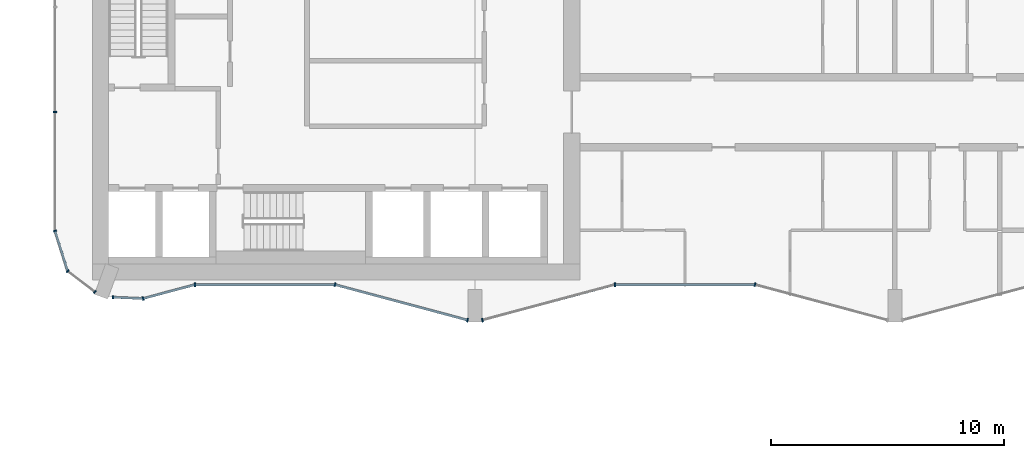
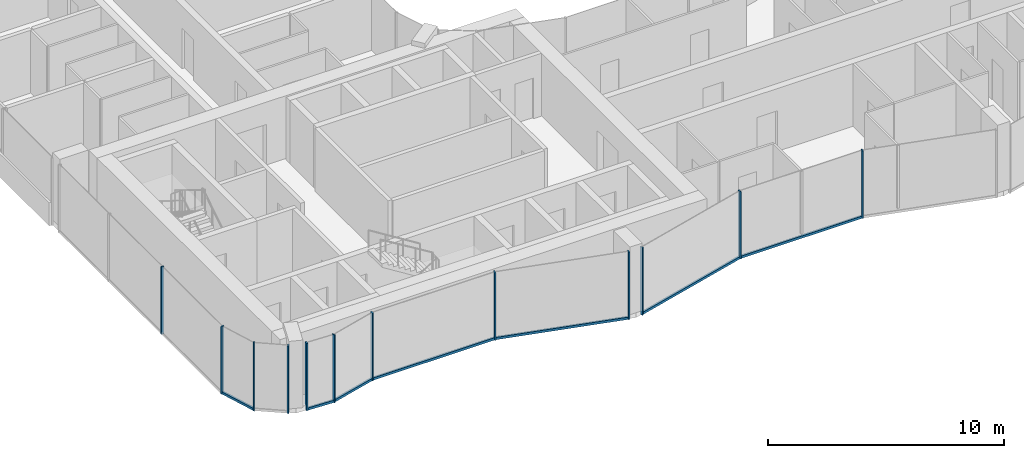
# One storey, part 2 of 23: 19 members, 10 elements without a shape of their own.
"""IFC4 building model written with IfcOpenShell, lengths in metres."""

import ifcopenshell
import ifcopenshell.guid

model = None  # the IFC model being written
_history = None  # IfcOwnerHistory: only IFC2X3 demands one
_inside = {}  # id of a spatial element -> (the spatial element, [elements in it])
_under = {}  # id of a project, library or spatial element -> (it, [spatial elements below it])
_declared = {}  # id of a project -> (the project, [libraries it declares])
_typed = {}  # id of a type object -> (the type object, [elements of that type])
_made_of = {}  # id of a material, layer set ... -> (it, [elements and type objects made of it])


def new_model(schema):
    """Start an empty IFC model of exactly this schema.

    Asked for "IFC4X3", IfcOpenShell would pick the latest addendum, in which some entities
    have other attributes; the version numbers below select the first issue.
    IFC2X3 requires an IfcOwnerHistory on every rooted entity: one is made here for all.
    """
    global model, _history
    if schema == "IFC4X3":
        model = ifcopenshell.file(schema_version=(4, 3, 0, 0))
    else:
        model = ifcopenshell.file(schema=schema)
    _inside.clear()
    _under.clear()
    _declared.clear()
    _typed.clear()
    _made_of.clear()
    _history = None
    if model.schema == "IFC2X3":
        org = make("IfcOrganization", Name="unknown")
        user = make(
            "IfcPersonAndOrganization",
            ThePerson=make("IfcPerson", FamilyName="unknown"),
            TheOrganization=org,
        )
        app = make(
            "IfcApplication",
            ApplicationDeveloper=org,
            Version="unknown",
            ApplicationFullName="unknown",
            ApplicationIdentifier="unknown",
        )
        _history = make(
            "IfcOwnerHistory",
            OwningUser=user,
            OwningApplication=app,
            ChangeAction="ADDED",
            CreationDate=0,
        )
    return model


def make(cls, **values):
    """One entity of the class cls with the attributes given. An attribute that is None is left unset."""
    return model.create_entity(
        cls, **{name: value for name, value in values.items() if value is not None}
    )


def rooted(cls, **values):
    """An entity with a GlobalId (a new one), such as an element, a storey or a relation."""
    return make(cls, GlobalId=ifcopenshell.guid.new(), OwnerHistory=_history, **values)


def si_unit(unit_type, name, prefix=None):
    """IfcSIUnit, for example si_unit("LENGTHUNIT", "METRE", prefix="MILLI")."""
    return make("IfcSIUnit", UnitType=unit_type, Prefix=prefix, Name=name)


def assignment(units):
    """IfcUnitAssignment: the units of a project."""
    return None if units is None else make("IfcUnitAssignment", Units=units)


def point(xyz):
    """IfcCartesianPoint."""
    return None if xyz is None else make("IfcCartesianPoint", Coordinates=xyz)


def direction(xyz):
    """IfcDirection."""
    return None if xyz is None else make("IfcDirection", DirectionRatios=xyz)


def frame(location, z_axis=None, x_axis=None):
    """IfcAxis2Placement3D, a coordinate frame: its origin and axes. An axis left out is left unset."""
    return make(
        "IfcAxis2Placement3D",
        Location=point(location),
        Axis=direction(z_axis),
        RefDirection=direction(x_axis),
    )


def frame_2d(location, x_axis=None):
    """IfcAxis2Placement2D, a coordinate frame in the plane: its origin and x axis."""
    return make(
        "IfcAxis2Placement2D", Location=point(location), RefDirection=direction(x_axis)
    )


def origin():
    """The frame at (0, 0, 0) with its axes left unset."""
    return frame((0.0, 0.0, 0.0))


def origin_2d():
    """The frame at (0, 0) in the plane with its x axis left unset."""
    return frame_2d((0.0, 0.0))


def place(relative_to, where):
    """IfcLocalPlacement: puts the frame where relative to a parent placement (None: the world)."""
    return make(
        "IfcLocalPlacement", PlacementRelTo=relative_to, RelativePlacement=where
    )


def context(
    kind, dimensions, precision=None, world=None, true_north=None, identifier=None
):
    """IfcGeometricRepresentationContext, for example the 3D "Model" context."""
    return make(
        "IfcGeometricRepresentationContext",
        ContextIdentifier=identifier,
        ContextType=kind,
        CoordinateSpaceDimension=dimensions,
        Precision=precision,
        WorldCoordinateSystem=world,
        TrueNorth=true_north,
    )


def subcontext(parent, identifier, kind, view, scale=None):
    """IfcGeometricRepresentationSubContext, for example "Body" below "Model"."""
    return make(
        "IfcGeometricRepresentationSubContext",
        ContextIdentifier=identifier,
        ContextType=kind,
        ParentContext=parent,
        TargetScale=scale,
        TargetView=view,
    )


def project(units=None, contexts=None):
    """IfcProject with its units and contexts."""
    return rooted(
        "IfcProject",
        Name="project",
        RepresentationContexts=contexts,
        UnitsInContext=assignment(units),
    )


def spatial(cls, under=None, at=None, **own):
    """A site, building, storey or space (cls), placed at a placement, below another one or the project."""
    s = rooted(cls, ObjectPlacement=at, **own)
    if under is not None:
        _under.setdefault(under.id(), (under, []))[1].append(s)
    return s


def profile(cls, at=None, kind="AREA", **sizes):
    """A parametric profile (cls). Its sizes go by their IFC names, for example OverallWidth=200.0."""
    return make(cls, ProfileType=kind, Position=at, **sizes)


def rectangle(**sizes):
    """IfcRectangleProfileDef."""
    return profile("IfcRectangleProfileDef", **sizes)


def extrude(swept, where, along, depth):
    """IfcExtrudedAreaSolid: the profile swept, set in the frame where, extruded along a direction by depth."""
    return make(
        "IfcExtrudedAreaSolid",
        SweptArea=swept,
        Position=where,
        ExtrudedDirection=direction(along),
        Depth=depth,
    )


def shape(context_of_items, identifier, shape_type, items):
    """IfcShapeRepresentation: the items that make up one representation, for example the "Body"."""
    return make(
        "IfcShapeRepresentation",
        ContextOfItems=context_of_items,
        RepresentationIdentifier=identifier,
        RepresentationType=shape_type,
        Items=items,
    )


def material(Name=None, Category=None):
    """IfcMaterial."""
    return make("IfcMaterial", Name=Name, Category=Category)


def layer(
    of_material, thickness, ventilated=None, Name=None, Category=None, Priority=None
):
    """IfcMaterialLayer: one layer of a wall or slab, of a material (None: an air gap)."""
    return make(
        "IfcMaterialLayer",
        Material=of_material,
        LayerThickness=thickness,
        IsVentilated=ventilated,
        Name=Name,
        Category=Category,
        Priority=Priority,
    )


def layer_set(layers, Name=None):
    """IfcMaterialLayerSet."""
    return make("IfcMaterialLayerSet", MaterialLayers=layers, LayerSetName=Name)


def material_profile(
    of_material, cross_section, Name=None, Category=None, Priority=None
):
    """IfcMaterialProfile: a cross section and its material."""
    return make(
        "IfcMaterialProfile",
        Name=Name,
        Material=of_material,
        Profile=cross_section,
        Priority=Priority,
        Category=Category,
    )


def profile_set(profiles, Name=None, composite=None):
    """IfcMaterialProfileSet."""
    return make(
        "IfcMaterialProfileSet",
        Name=Name,
        MaterialProfiles=profiles,
        CompositeProfile=composite,
    )


def made_of(thing, what):
    """Note that an element or type object is made of a material, layer set ...; save() writes the relation."""
    if what is not None:
        _made_of.setdefault(what.id(), (what, []))[1].append(thing)
    return thing


def type_object(cls, material=None, **own):
    """A type object (cls), such as IfcWallType, which elements share."""
    return made_of(rooted(cls, **own), material)


def element(
    cls,
    number,
    at=None,
    inside=None,
    cuts=None,
    type_object=None,
    material=None,
    context=None,
    identifier="Body",
    shape_type=None,
    held_by="IfcProductDefinitionShape",
    body=None,
    shapes=None,
    **own,
):
    """One element of the class cls, such as IfcWall. Its Tag is "e" and its number.

    at: its placement. inside: the storey or other place that contains it. cuts: it is an
    opening in that element (IfcRelVoidsElement). A single representation is given by context,
    identifier, shape_type and body (its items); several are given by shapes. held_by: the class
    of the entity that holds the representations. save() writes the other relations.
    """
    e = rooted(cls, Tag="e%d" % number, ObjectPlacement=at, **own)
    if body is not None:
        shapes = [shape(context, identifier, shape_type, body)]
    if shapes is not None:
        e.Representation = make(held_by, Representations=shapes)
    if inside is not None:
        _inside.setdefault(inside.id(), (inside, []))[1].append(e)
    if cuts is not None:
        rooted(
            "IfcRelVoidsElement", RelatingBuildingElement=cuts, RelatedOpeningElement=e
        )
    if type_object is not None:
        _typed.setdefault(type_object.id(), (type_object, []))[1].append(e)
    return made_of(e, material)


def aggregate(whole, parts):
    """IfcRelAggregates: a whole, such as a stair, and the parts it consists of."""
    return rooted("IfcRelAggregates", RelatingObject=whole, RelatedObjects=parts)


def save(model, path):
    """Write the relations noted so far, then the file.

    IfcRelAggregates (storeys below a building ...), IfcRelContainedInSpatialStructure (elements
    in a storey), IfcRelDefinesByType, IfcRelAssociatesMaterial and IfcRelDeclares: one each for
    every whole, place, type object, material and project.
    """
    for whole, parts in _under.values():
        aggregate(whole, parts)
    for where, things in _inside.values():
        rooted(
            "IfcRelContainedInSpatialStructure",
            RelatedElements=things,
            RelatingStructure=where,
        )
    for kind, things in _typed.values():
        rooted("IfcRelDefinesByType", RelatedObjects=things, RelatingType=kind)
    for what, things in _made_of.values():
        rooted("IfcRelAssociatesMaterial", RelatedObjects=things, RelatingMaterial=what)
    for by, libraries in _declared.values():
        rooted("IfcRelDeclares", RelatingContext=by, RelatedDefinitions=libraries)
    model.write(path)


model = new_model("IFC4")

# Units and contexts
model_context = context("Model", 3, precision=1e-05, world=origin(), true_north=direction((0.0, 1.0)))
body_context = subcontext(model_context, "Body", "Model", "MODEL_VIEW")
ifc_project = project(units=[si_unit("LENGTHUNIT", "METRE"), si_unit("AREAUNIT", "SQUARE_METRE"), si_unit("VOLUMEUNIT", "CUBIC_METRE"), si_unit("PLANEANGLEUNIT", "RADIAN"), si_unit("MASSUNIT", "GRAM", prefix="KILO")], contexts=[model_context])

# Site, building, storey
site_placement = place(None, origin())
site = spatial("IfcSite", under=ifc_project, at=site_placement, CompositionType="ELEMENT")
building_placement = place(site_placement, origin())
building = spatial("IfcBuilding", under=site, at=building_placement, Name="Plateau Cross Towers", CompositionType="ELEMENT")
storey_placement = place(building_placement, frame((0.0, 0.0, 92.300048828125)))
storey = spatial("IfcBuildingStorey", under=building, at=storey_placement, Name="L23", CompositionType="ELEMENT", Elevation=92.300048828125)

# Curtain wall, member
ifc_material_1 = material(Name="Dark low-iron glass", Category="glass")
ifc_layer_1 = layer(ifc_material_1, 0.239990234375)
ifc_layer_set_1 = layer_set([ifc_layer_1], Name="Dark low-iron glass")
curtain_wall_type_1 = type_object("IfcCurtainWallType", Name="Curtain wall flush unitised CW-B", PredefinedType="NOTDEFINED", material=ifc_layer_set_1)
curtain_wall_1_placement = place(storey_placement, origin())
curtain_wall_1 = element("IfcCurtainWall", 1, at=curtain_wall_1_placement, inside=storey, type_object=curtain_wall_type_1, Name="ENV/A/L23/A0_177", PredefinedType="NOTDEFINED")
ifc_material_2 = material(Name="Black anodised aluminium", Category="aluminium")
ifc_material_profile_1 = material_profile(ifc_material_2, rectangle(XDim=0.06005859375, YDim=0.139892578125, at=origin_2d()), Name="MULLION 60x140")
ifc_profile_set_1 = profile_set([ifc_material_profile_1], Name="Black anodised aluminium")
member_type_1 = type_object("IfcMemberType", Name="Mullion 60x140 flush unitised", PredefinedType="MULLION", material=ifc_profile_set_1)
member_1_placement = place(storey_placement, frame((0.0, 9.0, -0.25), z_axis=(0.0, 0.0, 1.0), x_axis=(0.0, -1.0, 0.0)))
member_1 = element("IfcMember", 2, at=member_1_placement, type_object=member_type_1, Name="CW-B mullion 3", PredefinedType="MULLION", context=body_context, shape_type="SweptSolid", body=[
    extrude(rectangle(XDim=0.06005859375, YDim=0.139892578125, at=origin_2d()), origin(), (0.0, 0.0, 1.0), 3.5),
])
aggregate(curtain_wall_1, [member_1])

curtain_wall_2_placement = place(storey_placement, origin())
curtain_wall_2 = element("IfcCurtainWall", 3, at=curtain_wall_2_placement, inside=storey, type_object=curtain_wall_type_1, Name="ENV/A/L23/A0_39", PredefinedType="NOTDEFINED")
member_2_placement = place(storey_placement, frame((0.0, 3.9091796875, -0.25), z_axis=(0.0, 0.0, 1.0), x_axis=(0.300686174994, -0.95372313811, 0.0)))
member_2 = element("IfcMember", 4, at=member_2_placement, type_object=member_type_1, Name="CW-B mullion 1", PredefinedType="MULLION", context=body_context, shape_type="SweptSolid", body=[
    extrude(rectangle(XDim=0.06005859375, YDim=0.139892578125, at=origin_2d()), origin(), (0.0, 0.0, 1.0), 3.5),
])

# Curtain wall, members
curtain_wall_3_placement = place(storey_placement, origin())
curtain_wall_3 = element("IfcCurtainWall", 5, at=curtain_wall_3_placement, inside=storey, type_object=curtain_wall_type_1, Name="ENV/A/L23/A5_22", PredefinedType="NOTDEFINED")
member_3_placement = place(storey_placement, frame((0.54248046875, 2.1884765625, -0.25), z_axis=(0.0, 0.0, 1.0), x_axis=(0.793315514529, -0.608810721331, 0.0)))
member_3 = element("IfcMember", 6, at=member_3_placement, type_object=member_type_1, Name="CW-B mullion 1", PredefinedType="MULLION", context=body_context, shape_type="SweptSolid", body=[
    extrude(rectangle(XDim=0.06005859375, YDim=0.139892578125, at=origin_2d()), origin(), (0.0, 0.0, 1.0), 3.5),
])
member_4_placement = place(storey_placement, frame((1.709716796875, 1.292724609375, -0.25), z_axis=(0.0, 0.0, 1.0), x_axis=(0.793315514529, -0.608810721331, 0.0)))
member_4 = element("IfcMember", 7, at=member_4_placement, type_object=member_type_1, Name="CW-B mullion 2", PredefinedType="MULLION", context=body_context, shape_type="SweptSolid", body=[
    extrude(rectangle(XDim=0.06005859375, YDim=0.139892578125, at=origin_2d()), origin(), (0.0, 0.0, 1.0), 3.5),
])
aggregate(curtain_wall_3, [member_3, member_4])

# Curtain wall, member
curtain_wall_4_placement = place(storey_placement, origin())
curtain_wall_4 = element("IfcCurtainWall", 8, at=curtain_wall_4_placement, inside=storey, type_object=curtain_wall_type_1, Name="ENV/A/L23/A25_11", PredefinedType="NOTDEFINED")
member_5_placement = place(storey_placement, frame((2.483642578125, 1.06787109375, -0.25), z_axis=(0.0, 0.0, 1.0), x_axis=(0.999043701491, -0.043722791671, 0.0)))
member_5 = element("IfcMember", 9, at=member_5_placement, type_object=member_type_1, Name="CW-B mullion 1", PredefinedType="MULLION", context=body_context, shape_type="SweptSolid", body=[
    extrude(rectangle(XDim=0.06005859375, YDim=0.139892578125, at=origin_2d()), origin(), (0.0, 0.0, 1.0), 3.5),
])

ifc_layer_2 = layer(ifc_material_1, 0.260009765625)
ifc_layer_set_2 = layer_set([ifc_layer_2], Name="Dark low-iron glass")
curtain_wall_type_2 = type_object("IfcCurtainWallType", Name="Curtain wall fluted unitised CW-A", PredefinedType="NOTDEFINED", material=ifc_layer_set_2)
curtain_wall_5_placement = place(storey_placement, origin())
curtain_wall_5 = element("IfcCurtainWall", 10, at=curtain_wall_5_placement, inside=storey, type_object=curtain_wall_type_2, Name="ENV/A/L23/A38_10", PredefinedType="NOTDEFINED")
ifc_material_profile_2 = material_profile(ifc_material_2, rectangle(XDim=0.06005859375, YDim=0.159912109375, at=origin_2d()), Name="MULLION 60x160")
ifc_profile_set_2 = profile_set([ifc_material_profile_2], Name="Black anodised aluminium")
member_type_2 = type_object("IfcMemberType", Name="Mullion 60x160 fluted unitised", PredefinedType="MULLION", material=ifc_profile_set_2)
member_6_placement = place(storey_placement, frame((3.776123046875, 1.01123046875, -0.25), z_axis=(0.0, 0.0, 1.0), x_axis=(0.965957962328, 0.258699081978, 0.0)))
member_6 = element("IfcMember", 11, at=member_6_placement, type_object=member_type_2, Name="CW-A mullion 1", PredefinedType="MULLION", context=body_context, shape_type="SweptSolid", body=[
    extrude(rectangle(XDim=0.06005859375, YDim=0.159912109375, at=origin_2d()), origin(), (0.0, 0.0, 1.0), 3.5),
])

curtain_wall_6_placement = place(storey_placement, origin())
curtain_wall_6 = element("IfcCurtainWall", 12, at=curtain_wall_6_placement, inside=storey, type_object=curtain_wall_type_2, Name="ENV/A/L23/A60_16", PredefinedType="NOTDEFINED")
member_7_placement = place(storey_placement, frame((6.0, 1.60693359375, -0.25), z_axis=(0.0, 0.0, 1.0), x_axis=(1.0, 0.0, 0.0)))
member_7 = element("IfcMember", 13, at=member_7_placement, type_object=member_type_2, Name="CW-A mullion 1", PredefinedType="MULLION", context=body_context, shape_type="SweptSolid", body=[
    extrude(rectangle(XDim=0.06005859375, YDim=0.159912109375, at=origin_2d()), origin(), (0.0, 0.0, 1.0), 3.5),
])

# Curtain wall, members
curtain_wall_7_placement = place(storey_placement, origin())
curtain_wall_7 = element("IfcCurtainWall", 14, at=curtain_wall_7_placement, inside=storey, type_object=curtain_wall_type_2, Name="ENV/A/L23/A120_16", PredefinedType="NOTDEFINED")
member_8_placement = place(storey_placement, frame((12.0, 1.60693359375, -0.25), z_axis=(0.0, 0.0, 1.0), x_axis=(0.965957983404, -0.258699003279, 0.0)))
member_8 = element("IfcMember", 15, at=member_8_placement, type_object=member_type_2, Name="CW-A mullion 1", PredefinedType="MULLION", context=body_context, shape_type="SweptSolid", body=[
    extrude(rectangle(XDim=0.06005859375, YDim=0.159912109375, at=origin_2d()), origin(), (0.0, 0.0, 1.0), 3.5),
])
member_9_placement = place(storey_placement, frame((17.68212890625, 0.085205078125, -0.25), z_axis=(0.0, 0.0, 1.0), x_axis=(0.965957983404, -0.258699003279, 0.0)))
member_9 = element("IfcMember", 16, at=member_9_placement, type_object=member_type_2, Name="CW-A mullion 2", PredefinedType="MULLION", context=body_context, shape_type="SweptSolid", body=[
    extrude(rectangle(XDim=0.06005859375, YDim=0.159912109375, at=origin_2d()), origin(), (0.0, 0.0, 1.0), 3.5),
])

# Curtain wall, member
curtain_wall_8_placement = place(storey_placement, origin())
curtain_wall_8 = element("IfcCurtainWall", 17, at=curtain_wall_8_placement, inside=storey, type_object=curtain_wall_type_2, Name="ENV/A/L23/A183_1", PredefinedType="NOTDEFINED")
member_10_placement = place(storey_placement, frame((18.31787109375, 0.085205078125, -0.25), z_axis=(0.0, 0.0, 1.0), x_axis=(0.965957983404, 0.258699003279, 0.0)))
member_10 = element("IfcMember", 18, at=member_10_placement, type_object=member_type_2, Name="CW-A mullion 1", PredefinedType="MULLION", context=body_context, shape_type="SweptSolid", body=[
    extrude(rectangle(XDim=0.06005859375, YDim=0.159912109375, at=origin_2d()), origin(), (0.0, 0.0, 1.0), 3.5),
])

curtain_wall_9_placement = place(storey_placement, origin())
curtain_wall_9 = element("IfcCurtainWall", 19, at=curtain_wall_9_placement, inside=storey, type_object=curtain_wall_type_2, Name="ENV/A/L23/A240_16", PredefinedType="NOTDEFINED")
member_11_placement = place(storey_placement, frame((24.0, 1.60693359375, -0.25), z_axis=(0.0, 0.0, 1.0), x_axis=(1.0, 0.0, 0.0)))
member_11 = element("IfcMember", 20, at=member_11_placement, type_object=member_type_2, Name="CW-A mullion 1", PredefinedType="MULLION", context=body_context, shape_type="SweptSolid", body=[
    extrude(rectangle(XDim=0.06005859375, YDim=0.159912109375, at=origin_2d()), origin(), (0.0, 0.0, 1.0), 3.5),
])

curtain_wall_10_placement = place(storey_placement, origin())
curtain_wall_10 = element("IfcCurtainWall", 21, at=curtain_wall_10_placement, inside=storey, type_object=curtain_wall_type_2, Name="ENV/A/L23/A300_16", PredefinedType="NOTDEFINED")
member_12_placement = place(storey_placement, frame((30.0, 1.60693359375, -0.25), z_axis=(0.0, 0.0, 1.0), x_axis=(0.965957983404, -0.258699003279, 0.0)))
member_12 = element("IfcMember", 22, at=member_12_placement, type_object=member_type_2, Name="CW-A mullion 1", PredefinedType="MULLION", context=body_context, shape_type="SweptSolid", body=[
    extrude(rectangle(XDim=0.06005859375, YDim=0.159912109375, at=origin_2d()), origin(), (0.0, 0.0, 1.0), 3.5),
])
aggregate(curtain_wall_10, [member_12])

# Member
ifc_material_profile_3 = material_profile(ifc_material_2, rectangle(XDim=0.10009765625, YDim=0.1201171875, at=origin_2d()), Name="TRANSOM 100x120")
ifc_profile_set_3 = profile_set([ifc_material_profile_3], Name="Black anodised aluminium")
member_type_3 = type_object("IfcMemberType", Name="Transom 100x120 flush unitised", PredefinedType="USERDEFINED", material=ifc_profile_set_3)
member_13_placement = place(storey_placement, frame((0.0, 3.9091796875, -0.18994140625), z_axis=(0.30067799945, -0.953725715626, 0.0), x_axis=(0.953725715626, 0.30067799945, 0.0)))
member_13 = element("IfcMember", 23, at=member_13_placement, type_object=member_type_3, Name="CW-B transom", ObjectType="TRANSOM", PredefinedType="USERDEFINED", context=body_context, shape_type="SweptSolid", body=[
    extrude(rectangle(XDim=0.10009765625, YDim=0.1201171875, at=origin_2d()), origin(), (0.0, 0.0, 1.0), 1.80419921875),
])

aggregate(curtain_wall_2, [member_2, member_13])

member_14_placement = place(storey_placement, frame((2.483642578125, 1.06787109375, -0.18994140625), z_axis=(0.999041144614, -0.043781175963, 0.0), x_axis=(0.043781175963, 0.999041144614, 0.0)))
member_14 = element("IfcMember", 24, at=member_14_placement, type_object=member_type_3, Name="CW-B transom", ObjectType="TRANSOM", PredefinedType="USERDEFINED", context=body_context, shape_type="SweptSolid", body=[
    extrude(rectangle(XDim=0.10009765625, YDim=0.1201171875, at=origin_2d()), origin(), (0.0, 0.0, 1.0), 1.293701171875),
])

aggregate(curtain_wall_4, [member_5, member_14])

ifc_material_profile_4 = material_profile(ifc_material_2, rectangle(XDim=0.10009765625, YDim=0.1201171875, at=origin_2d()), Name="TRANSOM 100x120")
ifc_profile_set_4 = profile_set([ifc_material_profile_4], Name="Black anodised aluminium")
member_type_4 = type_object("IfcMemberType", Name="Transom 100x120 fluted unitised", PredefinedType="USERDEFINED", material=ifc_profile_set_4)
member_15_placement = place(storey_placement, frame((3.776123046875, 1.01123046875, -0.18994140625), z_axis=(0.965945685136, 0.258744919501, 0.0), x_axis=(-0.258744919501, 0.965945685136, 0.0)))
member_15 = element("IfcMember", 25, at=member_15_placement, type_object=member_type_4, Name="CW-A transom", ObjectType="TRANSOM", PredefinedType="USERDEFINED", context=body_context, shape_type="SweptSolid", body=[
    extrude(rectangle(XDim=0.10009765625, YDim=0.1201171875, at=origin_2d()), origin(), (0.0, 0.0, 1.0), 2.30224609375),
])

aggregate(curtain_wall_5, [member_6, member_15])

member_16_placement = place(storey_placement, frame((6.0, 1.60693359375, -0.18994140625), z_axis=(1.0, 0.0, 0.0), x_axis=(0.0, 1.0, 0.0)))
member_16 = element("IfcMember", 26, at=member_16_placement, type_object=member_type_4, Name="CW-A transom", ObjectType="TRANSOM", PredefinedType="USERDEFINED", context=body_context, shape_type="SweptSolid", body=[
    extrude(rectangle(XDim=0.10009765625, YDim=0.1201171875, at=origin_2d()), origin(), (0.0, 0.0, 1.0), 6.0),
])

aggregate(curtain_wall_6, [member_7, member_16])

member_17_placement = place(storey_placement, frame((12.0, 1.60693359375, -0.18994140625), z_axis=(0.965959534794, -0.258693210465, 0.0), x_axis=(0.258693210465, 0.965959534794, 0.0)))
member_17 = element("IfcMember", 27, at=member_17_placement, type_object=member_type_4, Name="CW-A transom", ObjectType="TRANSOM", PredefinedType="USERDEFINED", context=body_context, shape_type="SweptSolid", body=[
    extrude(rectangle(XDim=0.10009765625, YDim=0.1201171875, at=origin_2d()), origin(), (0.0, 0.0, 1.0), 5.88232421875),
])

aggregate(curtain_wall_7, [member_8, member_9, member_17])

member_18_placement = place(storey_placement, frame((18.31787109375, 0.085205078125, -0.18994140625), z_axis=(0.965959534794, 0.258693210465, 0.0), x_axis=(-0.258693210465, 0.965959534794, 0.0)))
member_18 = element("IfcMember", 28, at=member_18_placement, type_object=member_type_4, Name="CW-A transom", ObjectType="TRANSOM", PredefinedType="USERDEFINED", context=body_context, shape_type="SweptSolid", body=[
    extrude(rectangle(XDim=0.10009765625, YDim=0.1201171875, at=origin_2d()), origin(), (0.0, 0.0, 1.0), 5.88232421875),
])

aggregate(curtain_wall_8, [member_10, member_18])

member_19_placement = place(storey_placement, frame((24.0, 1.60693359375, -0.18994140625), z_axis=(1.0, 0.0, 0.0), x_axis=(0.0, 1.0, 0.0)))
member_19 = element("IfcMember", 29, at=member_19_placement, type_object=member_type_4, Name="CW-A transom", ObjectType="TRANSOM", PredefinedType="USERDEFINED", context=body_context, shape_type="SweptSolid", body=[
    extrude(rectangle(XDim=0.10009765625, YDim=0.1201171875, at=origin_2d()), origin(), (0.0, 0.0, 1.0), 6.0),
])

aggregate(curtain_wall_9, [member_11, member_19])

save(model, "model.ifc")
